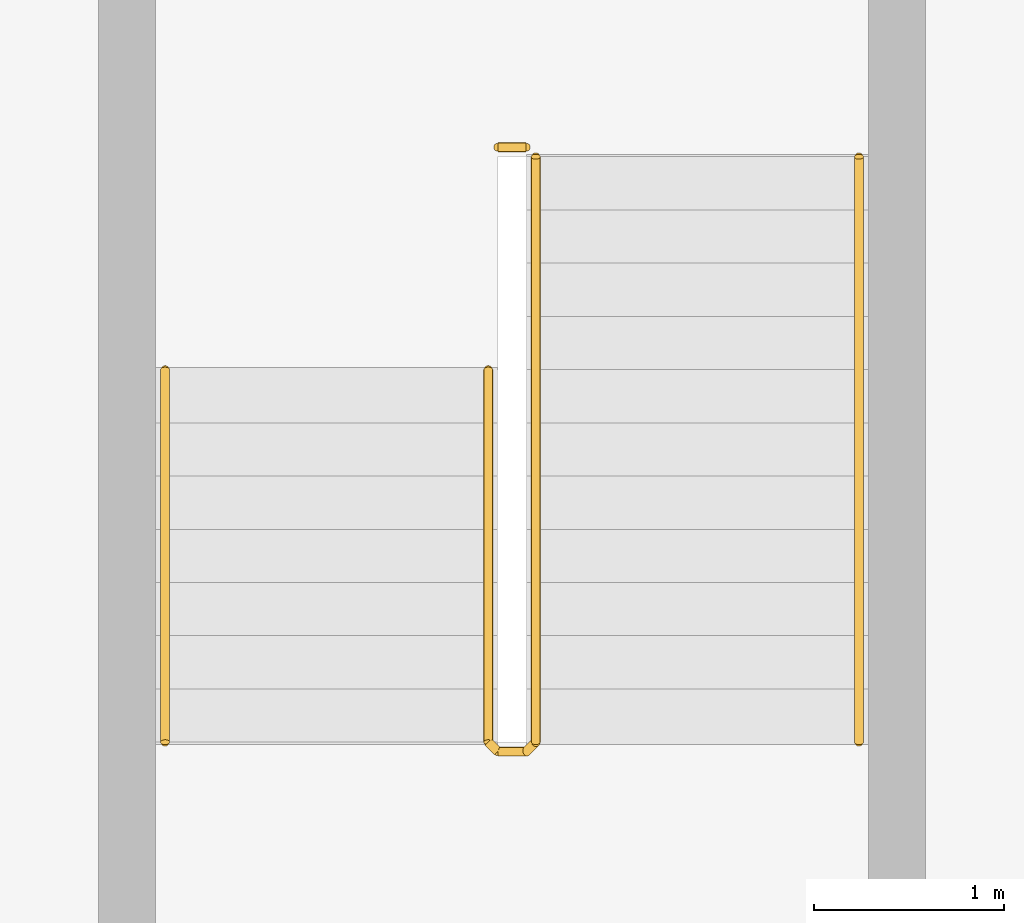
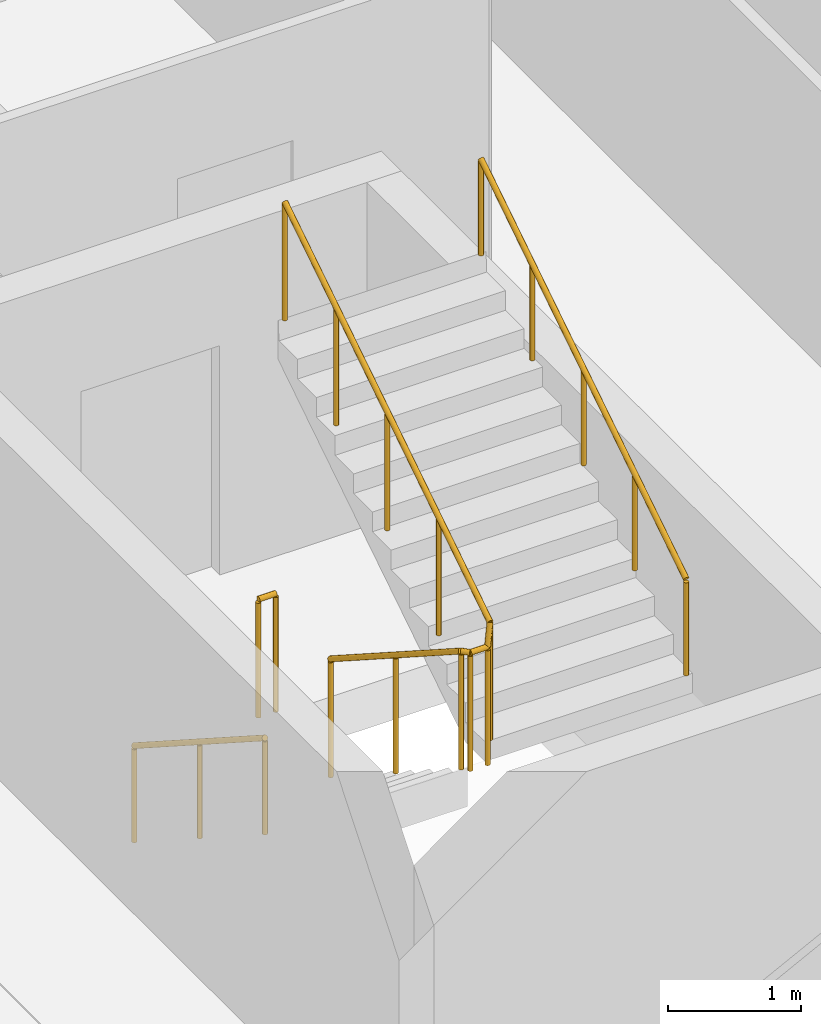
# One storey, part 22 of 24: 4 railings.
"""IFC4 building model written with IfcOpenShell, lengths in metres."""

from ifc_helpers import new_model, si_unit, direction, frame, origin, origin_2d, place, context, subcontext, project, spatial, circle, extrude, material, type_object, element, save


model = new_model("IFC4")

# Units and contexts
model_context = context("Model", 3, precision=1e-05, world=origin(), true_north=direction((0.0, 1.0)))
body_context = subcontext(model_context, "Body", "Model", "MODEL_VIEW")
ifc_project = project(units=[si_unit("LENGTHUNIT", "METRE"), si_unit("AREAUNIT", "SQUARE_METRE"), si_unit("VOLUMEUNIT", "CUBIC_METRE"), si_unit("PLANEANGLEUNIT", "RADIAN"), si_unit("MASSUNIT", "GRAM", prefix="KILO")], contexts=[model_context])

# Site, building, storey
site_placement = place(None, origin())
site = spatial("IfcSite", under=ifc_project, at=site_placement, CompositionType="ELEMENT")
building_placement = place(site_placement, origin())
building = spatial("IfcBuilding", under=site, at=building_placement, Name="Wharfspan Tower", CompositionType="ELEMENT")
storey_placement = place(building_placement, frame((0.0, 0.0, 88.300049)))
storey = spatial("IfcBuildingStorey", under=building, at=storey_placement, Name="L19", CompositionType="ELEMENT", Elevation=88.300049)

# Railings
ifc_material = material(Name="Steel S355J2", Category="steel")
railing_type_1 = type_object("IfcRailingType", Name="Stair guard 1100", PredefinedType="GUARDRAIL", material=ifc_material)
railing_1_placement = place(storey_placement, frame((39.258301, 2.640625, 0.179932)))
element("IfcRailing", 1, at=railing_1_placement, inside=storey, type_object=railing_type_1, Name="L19 ST4 stair guard 1", PredefinedType="GUARDRAIL", context=body_context, shape_type="SweptSolid", body=[
    extrude(circle(Radius=0.023926, at=origin_2d()), frame((0.0, 0.0, 1.076172), z_axis=(0.0, -0.841172, 0.540768), x_axis=(1.0, 0.0, 0.0)), (0.0, 0.0, 1.0), 2.330078),
    extrude(circle(Radius=0.023926, at=origin_2d()), frame((0.0, -1.959961, 2.335938), z_axis=(0.707107, -0.707107, 0.0), x_axis=(0.707107, 0.707107, 0.0)), (0.0, 0.0, 1.0), 0.070801),
    extrude(circle(Radius=0.023926, at=origin_2d()), frame((0.050049, -2.01001, 2.335938), z_axis=(1.0, 0.0, 0.0), x_axis=(0.0, 1.0, 0.0)), (0.0, 0.0, 1.0), 0.149902),
    extrude(circle(Radius=0.023926, at=origin_2d()), frame((0.199951, -2.01001, 2.335938), z_axis=(0.258848, 0.258848, 0.930589), x_axis=(-0.707107, 0.707107, 0.0)), (0.0, 0.0, 1.0), 0.193359),
    extrude(circle(Radius=0.023926, at=origin_2d()), frame((0.25, -1.959961, 2.516113), z_axis=(0.0, 0.841168, 0.540774), x_axis=(-1.0, 0.0, 0.0)), (0.0, 0.0, 1.0), 3.661377),
    extrude(circle(Radius=0.020996, at=origin_2d()), origin(), (0.0, 0.0, 1.0), 1.052002),
    extrude(circle(Radius=0.020996, at=origin_2d()), frame((0.0, -0.97998, 0.629883)), (0.0, 0.0, 1.0), 1.052002),
    extrude(circle(Radius=0.020996, at=origin_2d()), frame((0.0, -1.959961, 1.26001)), (0.0, 0.0, 1.0), 1.052002),
    extrude(circle(Radius=0.020996, at=origin_2d()), frame((0.050049, -2.01001, 1.26001)), (0.0, 0.0, 1.0), 1.052002),
    extrude(circle(Radius=0.020996, at=origin_2d()), frame((0.199951, -2.01001, 1.26001)), (0.0, 0.0, 1.0), 1.052002),
    extrude(circle(Radius=0.020996, at=origin_2d()), frame((0.25, -1.959961, 1.439941)), (0.0, 0.0, 1.0), 1.052002),
    extrude(circle(Radius=0.020996, at=origin_2d()), frame((0.25, -1.189941, 1.935059)), (0.0, 0.0, 1.0), 1.052002),
    extrude(circle(Radius=0.020996, at=origin_2d()), frame((0.25, -0.419922, 2.429932)), (0.0, 0.0, 1.0), 1.052002),
    extrude(circle(Radius=0.020996, at=origin_2d()), frame((0.25, 0.349854, 2.924805)), (0.0, 0.0, 1.0), 1.052002),
    extrude(circle(Radius=0.020996, at=origin_2d()), frame((0.25, 1.119873, 3.419922)), (0.0, 0.0, 1.0), 1.052002),
])
railing_2_placement = place(storey_placement, frame((39.30835, 3.810547, 0.0)))
element("IfcRailing", 2, at=railing_2_placement, inside=storey, type_object=railing_type_1, Name="L19 ST4 stair guard 2", PredefinedType="GUARDRAIL", context=body_context, shape_type="SweptSolid", body=[
    extrude(circle(Radius=0.023926, at=origin_2d()), frame((0.0, 0.0, 1.076172), z_axis=(1.0, 0.0, 0.0), x_axis=(0.0, 1.0, 0.0)), (0.0, 0.0, 1.0), 0.149902),
    extrude(circle(Radius=0.020996, at=origin_2d()), origin(), (0.0, 0.0, 1.0), 1.052002),
    extrude(circle(Radius=0.020996, at=origin_2d()), frame((0.149902, 0.0, 0.0)), (0.0, 0.0, 1.0), 1.052002),
])
railing_type_2 = type_object("IfcRailingType", Name="Stair handrail 900", PredefinedType="HANDRAIL", material=ifc_material)
railing_3_placement = place(storey_placement, frame((37.55835, 2.640625, 0.179932)))
element("IfcRailing", 3, at=railing_3_placement, inside=storey, type_object=railing_type_2, Name="L19 ST4 stair handrail 1", PredefinedType="HANDRAIL", context=body_context, shape_type="SweptSolid", body=[
    extrude(circle(Radius=0.023926, at=origin_2d()), frame((0.0, 0.0, 0.875977), z_axis=(0.0, -0.841172, 0.540768), x_axis=(1.0, 0.0, 0.0)), (0.0, 0.0, 1.0), 2.330078),
    extrude(circle(Radius=0.020996, at=origin_2d()), origin(), (0.0, 0.0, 1.0), 0.851807),
    extrude(circle(Radius=0.020996, at=origin_2d()), frame((0.0, -0.97998, 0.629883)), (0.0, 0.0, 1.0), 0.851807),
    extrude(circle(Radius=0.020996, at=origin_2d()), frame((0.0, -1.959961, 1.26001)), (0.0, 0.0, 1.0), 0.851807),
])
railing_4_placement = place(storey_placement, frame((41.208252, 0.680664, 1.619873)))
element("IfcRailing", 4, at=railing_4_placement, inside=storey, type_object=railing_type_2, Name="L19 ST4 stair handrail 2", PredefinedType="HANDRAIL", context=body_context, shape_type="SweptSolid", body=[
    extrude(circle(Radius=0.023926, at=origin_2d()), frame((0.0, 0.0, 0.875977), z_axis=(0.0, 0.841168, 0.540774), x_axis=(-1.0, 0.0, 0.0)), (0.0, 0.0, 1.0), 3.661377),
    extrude(circle(Radius=0.020996, at=origin_2d()), origin(), (0.0, 0.0, 1.0), 0.851807),
    extrude(circle(Radius=0.020996, at=origin_2d()), frame((0.0, 0.77002, 0.495117)), (0.0, 0.0, 1.0), 0.851807),
    extrude(circle(Radius=0.020996, at=origin_2d()), frame((0.0, 1.540039, 0.98999)), (0.0, 0.0, 1.0), 0.851807),
    extrude(circle(Radius=0.020996, at=origin_2d()), frame((0.0, 2.309814, 1.484863)), (0.0, 0.0, 1.0), 0.851807),
    extrude(circle(Radius=0.020996, at=origin_2d()), frame((0.0, 3.079834, 1.97998)), (0.0, 0.0, 1.0), 0.851807),
])

save(model, "model.ifc")
